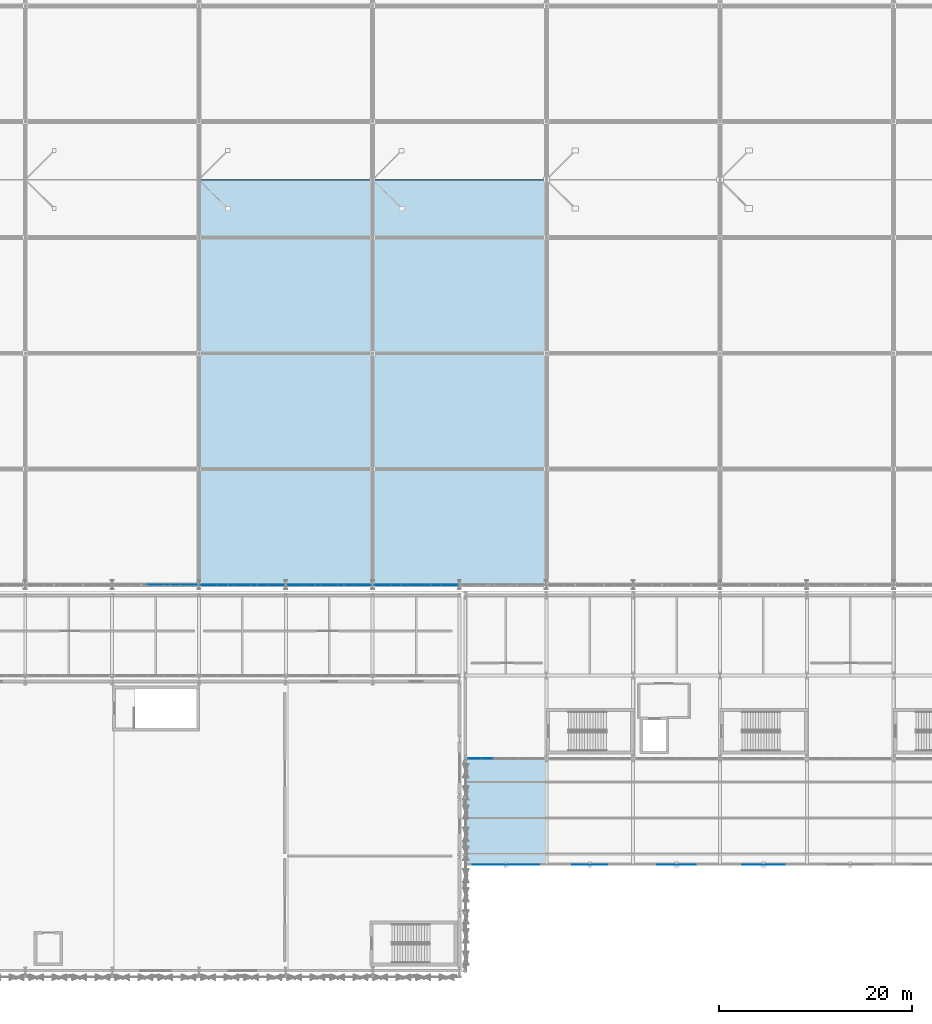
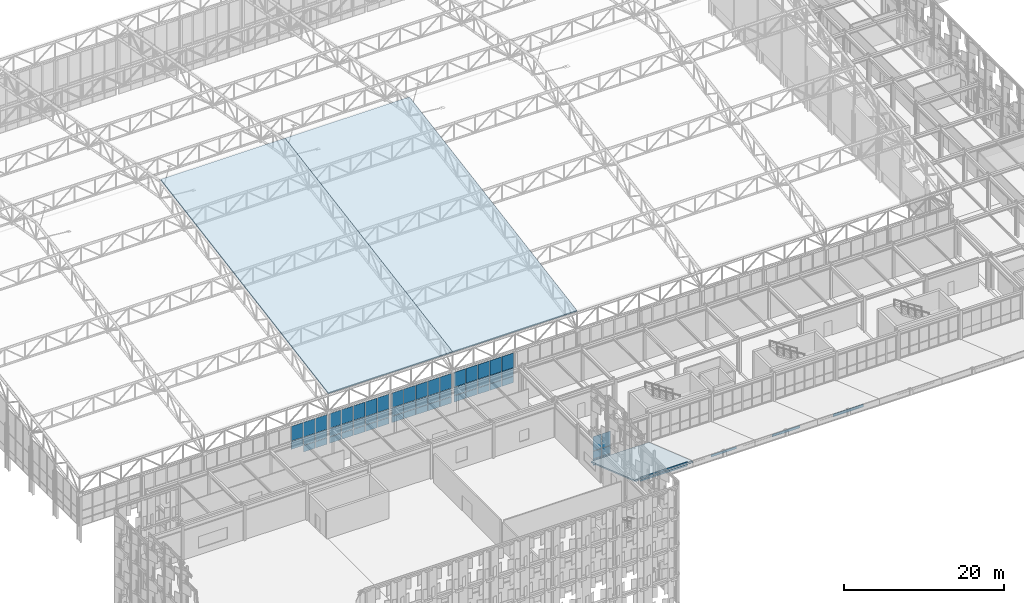
# One storey, part 181 of 239: 63 plates, 3 slabs, 7 elements without a shape of their own.
"""IFC4 building model written with IfcOpenShell, lengths in metres."""

from ifc_helpers import new_model, si_unit, direction, frame, origin, origin_2d, place, context, subcontext, project, spatial, polyline, rectangle, outline, extrude, material, layer, layer_set, type_object, element, aggregate, save


model = new_model("IFC4")

# Units and contexts
model_context = context("Model", 3, precision=1e-05, world=origin(), true_north=direction((0.0, 1.0)))
body_context = subcontext(model_context, "Body", "Model", "MODEL_VIEW")
ifc_project = project(units=[si_unit("LENGTHUNIT", "METRE"), si_unit("AREAUNIT", "SQUARE_METRE"), si_unit("VOLUMEUNIT", "CUBIC_METRE"), si_unit("PLANEANGLEUNIT", "RADIAN"), si_unit("MASSUNIT", "GRAM", prefix="KILO")], contexts=[model_context])

# Site, building, storey
site_placement = place(None, origin())
site = spatial("IfcSite", under=ifc_project, at=site_placement, CompositionType="ELEMENT")
building_placement = place(site_placement, origin())
building = spatial("IfcBuilding", under=site, at=building_placement, Name="Kaldris Quays Convention Centre", CompositionType="ELEMENT")
storey_placement = place(building_placement, frame((0.0, 0.0, 11.39990234375)))
storey = spatial("IfcBuildingStorey", under=building, at=storey_placement, Name="L02", CompositionType="ELEMENT", Elevation=11.39990234375)

# Curtain wall, plates
ifc_material_1 = material(Name="Anodized aluminium AW-6060 and triple glazing", Category="aluminium")
curtain_wall_type_1 = type_object("IfcCurtainWallType", Name="UNITISED CURTAIN WALL CW03", PredefinedType="NOTDEFINED", material=ifc_material_1)
curtain_wall_1_placement = place(storey_placement, origin())
curtain_wall_1 = element("IfcCurtainWall", 1, at=curtain_wall_1_placement, inside=storey, type_object=curtain_wall_type_1, Name="L02 Unitised Curtain Wall CW03 233", PredefinedType="NOTDEFINED")
ifc_material_2 = material(Name="Triple low-E insulated glazing", Category="glass")
plate_type_1 = type_object("IfcPlateType", Name="CURTAIN GLAZING PANEL CWP1", PredefinedType="CURTAIN_PANEL", material=ifc_material_2)
plate_1_placement = place(storey_placement, frame((51.5, 56.0, 3.27490234375), z_axis=(0.0, 0.0, 1.0), x_axis=(1.0, 0.0, 0.0)))
plate_1 = element("IfcPlate", 2, at=plate_1_placement, type_object=plate_type_1, Name="CW03 panel 3.2", PredefinedType="CURTAIN_PANEL", context=body_context, shape_type="SweptSolid", body=[
    extrude(rectangle(XDim=1.68408203125, YDim=0.029052734375, at=origin_2d()), origin(), (0.0, 0.0, 1.0), 1.217041015625),
])
plate_2_placement = place(storey_placement, frame((51.5, 56.0, 4.55224609375), z_axis=(0.0, 0.0, 1.0), x_axis=(1.0, 0.0, 0.0)))
plate_2 = element("IfcPlate", 3, at=plate_2_placement, type_object=plate_type_1, Name="CW03 panel 3.3", PredefinedType="CURTAIN_PANEL", context=body_context, shape_type="SweptSolid", body=[
    extrude(rectangle(XDim=1.68408203125, YDim=0.029052734375, at=origin_2d()), origin(), (0.0, 0.0, 1.0), 2.238037109375),
])
plate_3_placement = place(storey_placement, frame((53.243896484375, 56.0, 2.255126953125), z_axis=(0.0, 0.0, 1.0), x_axis=(1.0, 0.0, 0.0)))
plate_3 = element("IfcPlate", 4, at=plate_3_placement, type_object=plate_type_1, Name="CW03 panel 4.1", PredefinedType="CURTAIN_PANEL", context=body_context, shape_type="SweptSolid", body=[
    extrude(rectangle(XDim=1.68408203125, YDim=0.029052734375, at=origin_2d()), origin(), (0.0, 0.0, 1.0), 0.9599609375),
])
plate_4_placement = place(storey_placement, frame((53.243896484375, 56.0, 3.27490234375), z_axis=(0.0, 0.0, 1.0), x_axis=(1.0, 0.0, 0.0)))
plate_4 = element("IfcPlate", 5, at=plate_4_placement, type_object=plate_type_1, Name="CW03 panel 4.2", PredefinedType="CURTAIN_PANEL", context=body_context, shape_type="SweptSolid", body=[
    extrude(rectangle(XDim=1.68408203125, YDim=0.029052734375, at=origin_2d()), origin(), (0.0, 0.0, 1.0), 1.217041015625),
])
plate_5_placement = place(storey_placement, frame((53.243896484375, 56.0, 4.55224609375), z_axis=(0.0, 0.0, 1.0), x_axis=(1.0, 0.0, 0.0)))
plate_5 = element("IfcPlate", 6, at=plate_5_placement, type_object=plate_type_1, Name="CW03 panel 4.3", PredefinedType="CURTAIN_PANEL", context=body_context, shape_type="SweptSolid", body=[
    extrude(rectangle(XDim=1.68408203125, YDim=0.029052734375, at=origin_2d()), origin(), (0.0, 0.0, 1.0), 2.238037109375),
])
plate_6_placement = place(storey_placement, frame((54.972900390625, 56.0, 2.255126953125), z_axis=(0.0, 0.0, 1.0), x_axis=(1.0, 0.0, 0.0)))
plate_6 = element("IfcPlate", 7, at=plate_6_placement, type_object=plate_type_1, Name="CW03 panel 5.1", PredefinedType="CURTAIN_PANEL", context=body_context, shape_type="SweptSolid", body=[
    extrude(rectangle(XDim=1.654052734375, YDim=0.029052734375, at=origin_2d()), origin(), (0.0, 0.0, 1.0), 0.9599609375),
])
plate_7_placement = place(storey_placement, frame((54.972900390625, 56.0, 3.27490234375), z_axis=(0.0, 0.0, 1.0), x_axis=(1.0, 0.0, 0.0)))
plate_7 = element("IfcPlate", 8, at=plate_7_placement, type_object=plate_type_1, Name="CW03 panel 5.2", PredefinedType="CURTAIN_PANEL", context=body_context, shape_type="SweptSolid", body=[
    extrude(rectangle(XDim=1.654052734375, YDim=0.029052734375, at=origin_2d()), origin(), (0.0, 0.0, 1.0), 1.217041015625),
])
plate_8_placement = place(storey_placement, frame((54.972900390625, 56.0, 4.55224609375), z_axis=(0.0, 0.0, 1.0), x_axis=(1.0, 0.0, 0.0)))
plate_8 = element("IfcPlate", 9, at=plate_8_placement, type_object=plate_type_1, Name="CW03 panel 5.3", PredefinedType="CURTAIN_PANEL", context=body_context, shape_type="SweptSolid", body=[
    extrude(rectangle(XDim=1.654052734375, YDim=0.029052734375, at=origin_2d()), origin(), (0.0, 0.0, 1.0), 2.238037109375),
])
aggregate(curtain_wall_1, [plate_1, plate_2, plate_3, plate_4, plate_5, plate_6, plate_7, plate_8])

curtain_wall_type_2 = type_object("IfcCurtainWallType", Name="UNITISED CURTAIN WALL CW04", PredefinedType="NOTDEFINED", material=ifc_material_1)
curtain_wall_2_placement = place(storey_placement, origin())
curtain_wall_2 = element("IfcCurtainWall", 10, at=curtain_wall_2_placement, inside=storey, type_object=curtain_wall_type_2, Name="L02 Unitised Curtain Wall CW04 114", PredefinedType="NOTDEFINED")
plate_type_2 = type_object("IfcPlateType", Name="CURTAIN GLAZING PANEL CWP2", PredefinedType="CURTAIN_PANEL", material=ifc_material_2)
plate_9_placement = place(storey_placement, frame((84.5234375, 38.0, 0.06005859375), z_axis=(0.0, 0.0, 1.0), x_axis=(1.0, 0.0, 0.0)))
plate_9 = element("IfcPlate", 11, at=plate_9_placement, type_object=plate_type_2, Name="CW04 panel 1.1", PredefinedType="CURTAIN_PANEL", context=body_context, shape_type="SweptSolid", body=[
    extrude(rectangle(XDim=1.2265625, YDim=0.033935546875, at=origin_2d()), origin(), (0.0, 0.0, 1.0), 0.9599609375),
])
plate_10_placement = place(storey_placement, frame((84.5234375, 38.0, 1.080078125), z_axis=(0.0, 0.0, 1.0), x_axis=(1.0, 0.0, 0.0)))
plate_10 = element("IfcPlate", 12, at=plate_10_placement, type_object=plate_type_2, Name="CW04 panel 1.2", PredefinedType="CURTAIN_PANEL", context=body_context, shape_type="SweptSolid", body=[
    extrude(rectangle(XDim=1.2265625, YDim=0.033935546875, at=origin_2d()), origin(), (0.0, 0.0, 1.0), 1.1640625),
])
plate_11_placement = place(storey_placement, frame((84.5234375, 38.0, 2.303955078125), z_axis=(0.0, 0.0, 1.0), x_axis=(1.0, 0.0, 0.0)))
plate_11 = element("IfcPlate", 13, at=plate_11_placement, type_object=plate_type_2, Name="CW04 panel 1.3", PredefinedType="CURTAIN_PANEL", context=body_context, shape_type="SweptSolid", body=[
    extrude(rectangle(XDim=1.2265625, YDim=0.033935546875, at=origin_2d()), origin(), (0.0, 0.0, 1.0), 2.18408203125),
])
plate_12_placement = place(storey_placement, frame((85.824951171875, 38.0, 0.06005859375), z_axis=(0.0, 0.0, 1.0), x_axis=(1.0, 0.0, 0.0)))
plate_12 = element("IfcPlate", 14, at=plate_12_placement, type_object=plate_type_2, Name="CW04 panel 2.1", PredefinedType="CURTAIN_PANEL", context=body_context, shape_type="SweptSolid", body=[
    extrude(rectangle(XDim=1.256591796875, YDim=0.033935546875, at=origin_2d()), origin(), (0.0, 0.0, 1.0), 0.9599609375),
])
plate_13_placement = place(storey_placement, frame((85.824951171875, 38.0, 1.080078125), z_axis=(0.0, 0.0, 1.0), x_axis=(1.0, 0.0, 0.0)))
plate_13 = element("IfcPlate", 15, at=plate_13_placement, type_object=plate_type_2, Name="CW04 panel 2.2", PredefinedType="CURTAIN_PANEL", context=body_context, shape_type="SweptSolid", body=[
    extrude(rectangle(XDim=1.256591796875, YDim=0.033935546875, at=origin_2d()), origin(), (0.0, 0.0, 1.0), 1.1640625),
])
plate_14_placement = place(storey_placement, frame((85.824951171875, 38.0, 2.303955078125), z_axis=(0.0, 0.0, 1.0), x_axis=(1.0, 0.0, 0.0)))
plate_14 = element("IfcPlate", 16, at=plate_14_placement, type_object=plate_type_2, Name="CW04 panel 2.3", PredefinedType="CURTAIN_PANEL", context=body_context, shape_type="SweptSolid", body=[
    extrude(rectangle(XDim=1.256591796875, YDim=0.033935546875, at=origin_2d()), origin(), (0.0, 0.0, 1.0), 2.18408203125),
])
aggregate(curtain_wall_2, [plate_9, plate_10, plate_11, plate_12, plate_13, plate_14])

curtain_wall_3_placement = place(storey_placement, origin())
curtain_wall_3 = element("IfcCurtainWall", 17, at=curtain_wall_3_placement, inside=storey, type_object=curtain_wall_type_1, Name="L02 Unitised Curtain Wall CW03 235", PredefinedType="NOTDEFINED")
plate_type_3 = type_object("IfcPlateType", Name="CURTAIN GLAZING PANEL CWP3", PredefinedType="CURTAIN_PANEL", material=ifc_material_2)
plate_15_placement = place(storey_placement, frame((57.027099609375, 56.0, 2.255126953125), z_axis=(0.0, 0.0, 1.0), x_axis=(1.0, 0.0, 0.0)))
plate_15 = element("IfcPlate", 18, at=plate_15_placement, type_object=plate_type_3, Name="CW03 panel 1.1", PredefinedType="CURTAIN_PANEL", context=body_context, shape_type="SweptSolid", body=[
    extrude(rectangle(XDim=1.654052734375, YDim=0.0390625, at=origin_2d()), origin(), (0.0, 0.0, 1.0), 0.9599609375),
])
plate_16_placement = place(storey_placement, frame((57.027099609375, 56.0, 3.27490234375), z_axis=(0.0, 0.0, 1.0), x_axis=(1.0, 0.0, 0.0)))
plate_16 = element("IfcPlate", 19, at=plate_16_placement, type_object=plate_type_3, Name="CW03 panel 1.2", PredefinedType="CURTAIN_PANEL", context=body_context, shape_type="SweptSolid", body=[
    extrude(rectangle(XDim=1.654052734375, YDim=0.0390625, at=origin_2d()), origin(), (0.0, 0.0, 1.0), 1.217041015625),
])
plate_17_placement = place(storey_placement, frame((57.027099609375, 56.0, 4.55224609375), z_axis=(0.0, 0.0, 1.0), x_axis=(1.0, 0.0, 0.0)))
plate_17 = element("IfcPlate", 20, at=plate_17_placement, type_object=plate_type_3, Name="CW03 panel 1.3", PredefinedType="CURTAIN_PANEL", context=body_context, shape_type="SweptSolid", body=[
    extrude(rectangle(XDim=1.654052734375, YDim=0.0390625, at=origin_2d()), origin(), (0.0, 0.0, 1.0), 2.238037109375),
])
plate_18_placement = place(storey_placement, frame((58.756103515625, 56.0, 2.255126953125), z_axis=(0.0, 0.0, 1.0), x_axis=(1.0, 0.0, 0.0)))
plate_18 = element("IfcPlate", 21, at=plate_18_placement, type_object=plate_type_3, Name="CW03 panel 2.1", PredefinedType="CURTAIN_PANEL", context=body_context, shape_type="SweptSolid", body=[
    extrude(rectangle(XDim=1.68408203125, YDim=0.0390625, at=origin_2d()), origin(), (0.0, 0.0, 1.0), 0.9599609375),
])
plate_19_placement = place(storey_placement, frame((58.756103515625, 56.0, 3.27490234375), z_axis=(0.0, 0.0, 1.0), x_axis=(1.0, 0.0, 0.0)))
plate_19 = element("IfcPlate", 22, at=plate_19_placement, type_object=plate_type_3, Name="CW03 panel 2.2", PredefinedType="CURTAIN_PANEL", context=body_context, shape_type="SweptSolid", body=[
    extrude(rectangle(XDim=1.68408203125, YDim=0.0390625, at=origin_2d()), origin(), (0.0, 0.0, 1.0), 1.217041015625),
])
plate_20_placement = place(storey_placement, frame((58.756103515625, 56.0, 4.55224609375), z_axis=(0.0, 0.0, 1.0), x_axis=(1.0, 0.0, 0.0)))
plate_20 = element("IfcPlate", 23, at=plate_20_placement, type_object=plate_type_3, Name="CW03 panel 2.3", PredefinedType="CURTAIN_PANEL", context=body_context, shape_type="SweptSolid", body=[
    extrude(rectangle(XDim=1.68408203125, YDim=0.0390625, at=origin_2d()), origin(), (0.0, 0.0, 1.0), 2.238037109375),
])
plate_21_placement = place(storey_placement, frame((60.5, 56.0, 2.255126953125), z_axis=(0.0, 0.0, 1.0), x_axis=(1.0, 0.0, 0.0)))
plate_21 = element("IfcPlate", 24, at=plate_21_placement, type_object=plate_type_3, Name="CW03 panel 3.1", PredefinedType="CURTAIN_PANEL", context=body_context, shape_type="SweptSolid", body=[
    extrude(rectangle(XDim=1.68408203125, YDim=0.0390625, at=origin_2d()), origin(), (0.0, 0.0, 1.0), 0.9599609375),
])
plate_22_placement = place(storey_placement, frame((60.5, 56.0, 3.27490234375), z_axis=(0.0, 0.0, 1.0), x_axis=(1.0, 0.0, 0.0)))
plate_22 = element("IfcPlate", 25, at=plate_22_placement, type_object=plate_type_3, Name="CW03 panel 3.2", PredefinedType="CURTAIN_PANEL", context=body_context, shape_type="SweptSolid", body=[
    extrude(rectangle(XDim=1.68408203125, YDim=0.0390625, at=origin_2d()), origin(), (0.0, 0.0, 1.0), 1.217041015625),
])
plate_23_placement = place(storey_placement, frame((60.5, 56.0, 4.55224609375), z_axis=(0.0, 0.0, 1.0), x_axis=(1.0, 0.0, 0.0)))
plate_23 = element("IfcPlate", 26, at=plate_23_placement, type_object=plate_type_3, Name="CW03 panel 3.3", PredefinedType="CURTAIN_PANEL", context=body_context, shape_type="SweptSolid", body=[
    extrude(rectangle(XDim=1.68408203125, YDim=0.0390625, at=origin_2d()), origin(), (0.0, 0.0, 1.0), 2.238037109375),
])
plate_24_placement = place(storey_placement, frame((62.243896484375, 56.0, 2.255126953125), z_axis=(0.0, 0.0, 1.0), x_axis=(1.0, 0.0, 0.0)))
plate_24 = element("IfcPlate", 27, at=plate_24_placement, type_object=plate_type_3, Name="CW03 panel 4.1", PredefinedType="CURTAIN_PANEL", context=body_context, shape_type="SweptSolid", body=[
    extrude(rectangle(XDim=1.68408203125, YDim=0.0390625, at=origin_2d()), origin(), (0.0, 0.0, 1.0), 0.9599609375),
])
plate_25_placement = place(storey_placement, frame((62.243896484375, 56.0, 3.27490234375), z_axis=(0.0, 0.0, 1.0), x_axis=(1.0, 0.0, 0.0)))
plate_25 = element("IfcPlate", 28, at=plate_25_placement, type_object=plate_type_3, Name="CW03 panel 4.2", PredefinedType="CURTAIN_PANEL", context=body_context, shape_type="SweptSolid", body=[
    extrude(rectangle(XDim=1.68408203125, YDim=0.0390625, at=origin_2d()), origin(), (0.0, 0.0, 1.0), 1.217041015625),
])
plate_26_placement = place(storey_placement, frame((62.243896484375, 56.0, 4.55224609375), z_axis=(0.0, 0.0, 1.0), x_axis=(1.0, 0.0, 0.0)))
plate_26 = element("IfcPlate", 29, at=plate_26_placement, type_object=plate_type_3, Name="CW03 panel 4.3", PredefinedType="CURTAIN_PANEL", context=body_context, shape_type="SweptSolid", body=[
    extrude(rectangle(XDim=1.68408203125, YDim=0.0390625, at=origin_2d()), origin(), (0.0, 0.0, 1.0), 2.238037109375),
])
plate_27_placement = place(storey_placement, frame((63.972900390625, 56.0, 2.255126953125), z_axis=(0.0, 0.0, 1.0), x_axis=(1.0, 0.0, 0.0)))
plate_27 = element("IfcPlate", 30, at=plate_27_placement, type_object=plate_type_3, Name="CW03 panel 5.1", PredefinedType="CURTAIN_PANEL", context=body_context, shape_type="SweptSolid", body=[
    extrude(rectangle(XDim=1.654052734375, YDim=0.0390625, at=origin_2d()), origin(), (0.0, 0.0, 1.0), 0.9599609375),
])
plate_28_placement = place(storey_placement, frame((63.972900390625, 56.0, 3.27490234375), z_axis=(0.0, 0.0, 1.0), x_axis=(1.0, 0.0, 0.0)))
plate_28 = element("IfcPlate", 31, at=plate_28_placement, type_object=plate_type_3, Name="CW03 panel 5.2", PredefinedType="CURTAIN_PANEL", context=body_context, shape_type="SweptSolid", body=[
    extrude(rectangle(XDim=1.654052734375, YDim=0.0390625, at=origin_2d()), origin(), (0.0, 0.0, 1.0), 1.217041015625),
])
plate_29_placement = place(storey_placement, frame((63.972900390625, 56.0, 4.55224609375), z_axis=(0.0, 0.0, 1.0), x_axis=(1.0, 0.0, 0.0)))
plate_29 = element("IfcPlate", 32, at=plate_29_placement, type_object=plate_type_3, Name="CW03 panel 5.3", PredefinedType="CURTAIN_PANEL", context=body_context, shape_type="SweptSolid", body=[
    extrude(rectangle(XDim=1.654052734375, YDim=0.0390625, at=origin_2d()), origin(), (0.0, 0.0, 1.0), 2.238037109375),
])
aggregate(curtain_wall_3, [plate_15, plate_16, plate_17, plate_18, plate_19, plate_20, plate_21, plate_22, plate_23, plate_24, plate_25, plate_26, plate_27, plate_28, plate_29])

curtain_wall_4_placement = place(storey_placement, origin())
curtain_wall_4 = element("IfcCurtainWall", 33, at=curtain_wall_4_placement, inside=storey, type_object=curtain_wall_type_1, Name="L02 Unitised Curtain Wall CW03 237", PredefinedType="NOTDEFINED")
plate_type_4 = type_object("IfcPlateType", Name="CURTAIN GLAZING PANEL CWP5", PredefinedType="CURTAIN_PANEL", material=ifc_material_2)
plate_30_placement = place(storey_placement, frame((66.027099609375, 56.0, 2.255126953125), z_axis=(0.0, 0.0, 1.0), x_axis=(1.0, 0.0, 0.0)))
plate_30 = element("IfcPlate", 34, at=plate_30_placement, type_object=plate_type_4, Name="CW03 panel 1.1", PredefinedType="CURTAIN_PANEL", context=body_context, shape_type="SweptSolid", body=[
    extrude(rectangle(XDim=1.654052734375, YDim=0.049072265625, at=origin_2d()), origin(), (0.0, 0.0, 1.0), 0.9599609375),
])
plate_31_placement = place(storey_placement, frame((66.027099609375, 56.0, 3.27490234375), z_axis=(0.0, 0.0, 1.0), x_axis=(1.0, 0.0, 0.0)))
plate_31 = element("IfcPlate", 35, at=plate_31_placement, type_object=plate_type_4, Name="CW03 panel 1.2", PredefinedType="CURTAIN_PANEL", context=body_context, shape_type="SweptSolid", body=[
    extrude(rectangle(XDim=1.654052734375, YDim=0.049072265625, at=origin_2d()), origin(), (0.0, 0.0, 1.0), 1.217041015625),
])
plate_32_placement = place(storey_placement, frame((66.027099609375, 56.0, 4.55224609375), z_axis=(0.0, 0.0, 1.0), x_axis=(1.0, 0.0, 0.0)))
plate_32 = element("IfcPlate", 36, at=plate_32_placement, type_object=plate_type_4, Name="CW03 panel 1.3", PredefinedType="CURTAIN_PANEL", context=body_context, shape_type="SweptSolid", body=[
    extrude(rectangle(XDim=1.654052734375, YDim=0.049072265625, at=origin_2d()), origin(), (0.0, 0.0, 1.0), 2.238037109375),
])
plate_33_placement = place(storey_placement, frame((67.756103515625, 56.0, 2.255126953125), z_axis=(0.0, 0.0, 1.0), x_axis=(1.0, 0.0, 0.0)))
plate_33 = element("IfcPlate", 37, at=plate_33_placement, type_object=plate_type_4, Name="CW03 panel 2.1", PredefinedType="CURTAIN_PANEL", context=body_context, shape_type="SweptSolid", body=[
    extrude(rectangle(XDim=1.68408203125, YDim=0.049072265625, at=origin_2d()), origin(), (0.0, 0.0, 1.0), 0.9599609375),
])
plate_34_placement = place(storey_placement, frame((67.756103515625, 56.0, 3.27490234375), z_axis=(0.0, 0.0, 1.0), x_axis=(1.0, 0.0, 0.0)))
plate_34 = element("IfcPlate", 38, at=plate_34_placement, type_object=plate_type_4, Name="CW03 panel 2.2", PredefinedType="CURTAIN_PANEL", context=body_context, shape_type="SweptSolid", body=[
    extrude(rectangle(XDim=1.68408203125, YDim=0.049072265625, at=origin_2d()), origin(), (0.0, 0.0, 1.0), 1.217041015625),
])
plate_35_placement = place(storey_placement, frame((67.756103515625, 56.0, 4.55224609375), z_axis=(0.0, 0.0, 1.0), x_axis=(1.0, 0.0, 0.0)))
plate_35 = element("IfcPlate", 39, at=plate_35_placement, type_object=plate_type_4, Name="CW03 panel 2.3", PredefinedType="CURTAIN_PANEL", context=body_context, shape_type="SweptSolid", body=[
    extrude(rectangle(XDim=1.68408203125, YDim=0.049072265625, at=origin_2d()), origin(), (0.0, 0.0, 1.0), 2.238037109375),
])
plate_36_placement = place(storey_placement, frame((69.5, 56.0, 2.255126953125), z_axis=(0.0, 0.0, 1.0), x_axis=(1.0, 0.0, 0.0)))
plate_36 = element("IfcPlate", 40, at=plate_36_placement, type_object=plate_type_4, Name="CW03 panel 3.1", PredefinedType="CURTAIN_PANEL", context=body_context, shape_type="SweptSolid", body=[
    extrude(rectangle(XDim=1.68408203125, YDim=0.049072265625, at=origin_2d()), origin(), (0.0, 0.0, 1.0), 0.9599609375),
])
plate_37_placement = place(storey_placement, frame((69.5, 56.0, 3.27490234375), z_axis=(0.0, 0.0, 1.0), x_axis=(1.0, 0.0, 0.0)))
plate_37 = element("IfcPlate", 41, at=plate_37_placement, type_object=plate_type_4, Name="CW03 panel 3.2", PredefinedType="CURTAIN_PANEL", context=body_context, shape_type="SweptSolid", body=[
    extrude(rectangle(XDim=1.68408203125, YDim=0.049072265625, at=origin_2d()), origin(), (0.0, 0.0, 1.0), 1.217041015625),
])
plate_38_placement = place(storey_placement, frame((69.5, 56.0, 4.55224609375), z_axis=(0.0, 0.0, 1.0), x_axis=(1.0, 0.0, 0.0)))
plate_38 = element("IfcPlate", 42, at=plate_38_placement, type_object=plate_type_4, Name="CW03 panel 3.3", PredefinedType="CURTAIN_PANEL", context=body_context, shape_type="SweptSolid", body=[
    extrude(rectangle(XDim=1.68408203125, YDim=0.049072265625, at=origin_2d()), origin(), (0.0, 0.0, 1.0), 2.238037109375),
])
plate_39_placement = place(storey_placement, frame((71.243896484375, 56.0, 2.255126953125), z_axis=(0.0, 0.0, 1.0), x_axis=(1.0, 0.0, 0.0)))
plate_39 = element("IfcPlate", 43, at=plate_39_placement, type_object=plate_type_4, Name="CW03 panel 4.1", PredefinedType="CURTAIN_PANEL", context=body_context, shape_type="SweptSolid", body=[
    extrude(rectangle(XDim=1.68408203125, YDim=0.049072265625, at=origin_2d()), origin(), (0.0, 0.0, 1.0), 0.9599609375),
])
plate_40_placement = place(storey_placement, frame((71.243896484375, 56.0, 3.27490234375), z_axis=(0.0, 0.0, 1.0), x_axis=(1.0, 0.0, 0.0)))
plate_40 = element("IfcPlate", 44, at=plate_40_placement, type_object=plate_type_4, Name="CW03 panel 4.2", PredefinedType="CURTAIN_PANEL", context=body_context, shape_type="SweptSolid", body=[
    extrude(rectangle(XDim=1.68408203125, YDim=0.049072265625, at=origin_2d()), origin(), (0.0, 0.0, 1.0), 1.217041015625),
])
plate_41_placement = place(storey_placement, frame((71.243896484375, 56.0, 4.55224609375), z_axis=(0.0, 0.0, 1.0), x_axis=(1.0, 0.0, 0.0)))
plate_41 = element("IfcPlate", 45, at=plate_41_placement, type_object=plate_type_4, Name="CW03 panel 4.3", PredefinedType="CURTAIN_PANEL", context=body_context, shape_type="SweptSolid", body=[
    extrude(rectangle(XDim=1.68408203125, YDim=0.049072265625, at=origin_2d()), origin(), (0.0, 0.0, 1.0), 2.238037109375),
])
plate_42_placement = place(storey_placement, frame((72.972900390625, 56.0, 2.255126953125), z_axis=(0.0, 0.0, 1.0), x_axis=(1.0, 0.0, 0.0)))
plate_42 = element("IfcPlate", 46, at=plate_42_placement, type_object=plate_type_4, Name="CW03 panel 5.1", PredefinedType="CURTAIN_PANEL", context=body_context, shape_type="SweptSolid", body=[
    extrude(rectangle(XDim=1.654052734375, YDim=0.049072265625, at=origin_2d()), origin(), (0.0, 0.0, 1.0), 0.9599609375),
])
plate_43_placement = place(storey_placement, frame((72.972900390625, 56.0, 3.27490234375), z_axis=(0.0, 0.0, 1.0), x_axis=(1.0, 0.0, 0.0)))
plate_43 = element("IfcPlate", 47, at=plate_43_placement, type_object=plate_type_4, Name="CW03 panel 5.2", PredefinedType="CURTAIN_PANEL", context=body_context, shape_type="SweptSolid", body=[
    extrude(rectangle(XDim=1.654052734375, YDim=0.049072265625, at=origin_2d()), origin(), (0.0, 0.0, 1.0), 1.217041015625),
])
plate_44_placement = place(storey_placement, frame((72.972900390625, 56.0, 4.55224609375), z_axis=(0.0, 0.0, 1.0), x_axis=(1.0, 0.0, 0.0)))
plate_44 = element("IfcPlate", 48, at=plate_44_placement, type_object=plate_type_4, Name="CW03 panel 5.3", PredefinedType="CURTAIN_PANEL", context=body_context, shape_type="SweptSolid", body=[
    extrude(rectangle(XDim=1.654052734375, YDim=0.049072265625, at=origin_2d()), origin(), (0.0, 0.0, 1.0), 2.238037109375),
])
aggregate(curtain_wall_4, [plate_30, plate_31, plate_32, plate_33, plate_34, plate_35, plate_36, plate_37, plate_38, plate_39, plate_40, plate_41, plate_42, plate_43, plate_44])

curtain_wall_5_placement = place(storey_placement, origin())
curtain_wall_5 = element("IfcCurtainWall", 49, at=curtain_wall_5_placement, inside=storey, type_object=curtain_wall_type_1, Name="L02 Unitised Curtain Wall CW03 239", PredefinedType="NOTDEFINED")
plate_type_5 = type_object("IfcPlateType", Name="CURTAIN GLAZING PANEL CWP7", PredefinedType="CURTAIN_PANEL", material=ifc_material_2)
plate_45_placement = place(storey_placement, frame((75.027099609375, 56.0, 2.255126953125), z_axis=(0.0, 0.0, 1.0), x_axis=(1.0, 0.0, 0.0)))
plate_45 = element("IfcPlate", 50, at=plate_45_placement, type_object=plate_type_5, Name="CW03 panel 1.1", PredefinedType="CURTAIN_PANEL", context=body_context, shape_type="SweptSolid", body=[
    extrude(rectangle(XDim=1.654052734375, YDim=0.05908203125, at=origin_2d()), origin(), (0.0, 0.0, 1.0), 0.9599609375),
])
plate_46_placement = place(storey_placement, frame((75.027099609375, 56.0, 3.27490234375), z_axis=(0.0, 0.0, 1.0), x_axis=(1.0, 0.0, 0.0)))
plate_46 = element("IfcPlate", 51, at=plate_46_placement, type_object=plate_type_5, Name="CW03 panel 1.2", PredefinedType="CURTAIN_PANEL", context=body_context, shape_type="SweptSolid", body=[
    extrude(rectangle(XDim=1.654052734375, YDim=0.05908203125, at=origin_2d()), origin(), (0.0, 0.0, 1.0), 1.217041015625),
])
plate_47_placement = place(storey_placement, frame((75.027099609375, 56.0, 4.55224609375), z_axis=(0.0, 0.0, 1.0), x_axis=(1.0, 0.0, 0.0)))
plate_47 = element("IfcPlate", 52, at=plate_47_placement, type_object=plate_type_5, Name="CW03 panel 1.3", PredefinedType="CURTAIN_PANEL", context=body_context, shape_type="SweptSolid", body=[
    extrude(rectangle(XDim=1.654052734375, YDim=0.05908203125, at=origin_2d()), origin(), (0.0, 0.0, 1.0), 2.238037109375),
])
plate_48_placement = place(storey_placement, frame((76.756103515625, 56.0, 2.255126953125), z_axis=(0.0, 0.0, 1.0), x_axis=(1.0, 0.0, 0.0)))
plate_48 = element("IfcPlate", 53, at=plate_48_placement, type_object=plate_type_5, Name="CW03 panel 2.1", PredefinedType="CURTAIN_PANEL", context=body_context, shape_type="SweptSolid", body=[
    extrude(rectangle(XDim=1.68408203125, YDim=0.05908203125, at=origin_2d()), origin(), (0.0, 0.0, 1.0), 0.9599609375),
])
plate_49_placement = place(storey_placement, frame((76.756103515625, 56.0, 3.27490234375), z_axis=(0.0, 0.0, 1.0), x_axis=(1.0, 0.0, 0.0)))
plate_49 = element("IfcPlate", 54, at=plate_49_placement, type_object=plate_type_5, Name="CW03 panel 2.2", PredefinedType="CURTAIN_PANEL", context=body_context, shape_type="SweptSolid", body=[
    extrude(rectangle(XDim=1.68408203125, YDim=0.05908203125, at=origin_2d()), origin(), (0.0, 0.0, 1.0), 1.217041015625),
])
plate_50_placement = place(storey_placement, frame((76.756103515625, 56.0, 4.55224609375), z_axis=(0.0, 0.0, 1.0), x_axis=(1.0, 0.0, 0.0)))
plate_50 = element("IfcPlate", 55, at=plate_50_placement, type_object=plate_type_5, Name="CW03 panel 2.3", PredefinedType="CURTAIN_PANEL", context=body_context, shape_type="SweptSolid", body=[
    extrude(rectangle(XDim=1.68408203125, YDim=0.05908203125, at=origin_2d()), origin(), (0.0, 0.0, 1.0), 2.238037109375),
])
plate_51_placement = place(storey_placement, frame((78.5, 56.0, 2.255126953125), z_axis=(0.0, 0.0, 1.0), x_axis=(1.0, 0.0, 0.0)))
plate_51 = element("IfcPlate", 56, at=plate_51_placement, type_object=plate_type_5, Name="CW03 panel 3.1", PredefinedType="CURTAIN_PANEL", context=body_context, shape_type="SweptSolid", body=[
    extrude(rectangle(XDim=1.68408203125, YDim=0.05908203125, at=origin_2d()), origin(), (0.0, 0.0, 1.0), 0.9599609375),
])
plate_52_placement = place(storey_placement, frame((78.5, 56.0, 3.27490234375), z_axis=(0.0, 0.0, 1.0), x_axis=(1.0, 0.0, 0.0)))
plate_52 = element("IfcPlate", 57, at=plate_52_placement, type_object=plate_type_5, Name="CW03 panel 3.2", PredefinedType="CURTAIN_PANEL", context=body_context, shape_type="SweptSolid", body=[
    extrude(rectangle(XDim=1.68408203125, YDim=0.05908203125, at=origin_2d()), origin(), (0.0, 0.0, 1.0), 1.217041015625),
])
plate_53_placement = place(storey_placement, frame((78.5, 56.0, 4.55224609375), z_axis=(0.0, 0.0, 1.0), x_axis=(1.0, 0.0, 0.0)))
plate_53 = element("IfcPlate", 58, at=plate_53_placement, type_object=plate_type_5, Name="CW03 panel 3.3", PredefinedType="CURTAIN_PANEL", context=body_context, shape_type="SweptSolid", body=[
    extrude(rectangle(XDim=1.68408203125, YDim=0.05908203125, at=origin_2d()), origin(), (0.0, 0.0, 1.0), 2.238037109375),
])
plate_54_placement = place(storey_placement, frame((80.243896484375, 56.0, 2.255126953125), z_axis=(0.0, 0.0, 1.0), x_axis=(1.0, 0.0, 0.0)))
plate_54 = element("IfcPlate", 59, at=plate_54_placement, type_object=plate_type_5, Name="CW03 panel 4.1", PredefinedType="CURTAIN_PANEL", context=body_context, shape_type="SweptSolid", body=[
    extrude(rectangle(XDim=1.68408203125, YDim=0.05908203125, at=origin_2d()), origin(), (0.0, 0.0, 1.0), 0.9599609375),
])
plate_55_placement = place(storey_placement, frame((80.243896484375, 56.0, 3.27490234375), z_axis=(0.0, 0.0, 1.0), x_axis=(1.0, 0.0, 0.0)))
plate_55 = element("IfcPlate", 60, at=plate_55_placement, type_object=plate_type_5, Name="CW03 panel 4.2", PredefinedType="CURTAIN_PANEL", context=body_context, shape_type="SweptSolid", body=[
    extrude(rectangle(XDim=1.68408203125, YDim=0.05908203125, at=origin_2d()), origin(), (0.0, 0.0, 1.0), 1.217041015625),
])
plate_56_placement = place(storey_placement, frame((80.243896484375, 56.0, 4.55224609375), z_axis=(0.0, 0.0, 1.0), x_axis=(1.0, 0.0, 0.0)))
plate_56 = element("IfcPlate", 61, at=plate_56_placement, type_object=plate_type_5, Name="CW03 panel 4.3", PredefinedType="CURTAIN_PANEL", context=body_context, shape_type="SweptSolid", body=[
    extrude(rectangle(XDim=1.68408203125, YDim=0.05908203125, at=origin_2d()), origin(), (0.0, 0.0, 1.0), 2.238037109375),
])
plate_57_placement = place(storey_placement, frame((81.972900390625, 56.0, 2.255126953125), z_axis=(0.0, 0.0, 1.0), x_axis=(1.0, 0.0, 0.0)))
plate_57 = element("IfcPlate", 62, at=plate_57_placement, type_object=plate_type_5, Name="CW03 panel 5.1", PredefinedType="CURTAIN_PANEL", context=body_context, shape_type="SweptSolid", body=[
    extrude(rectangle(XDim=1.654052734375, YDim=0.05908203125, at=origin_2d()), origin(), (0.0, 0.0, 1.0), 0.9599609375),
])
plate_58_placement = place(storey_placement, frame((81.972900390625, 56.0, 3.27490234375), z_axis=(0.0, 0.0, 1.0), x_axis=(1.0, 0.0, 0.0)))
plate_58 = element("IfcPlate", 63, at=plate_58_placement, type_object=plate_type_5, Name="CW03 panel 5.2", PredefinedType="CURTAIN_PANEL", context=body_context, shape_type="SweptSolid", body=[
    extrude(rectangle(XDim=1.654052734375, YDim=0.05908203125, at=origin_2d()), origin(), (0.0, 0.0, 1.0), 1.217041015625),
])
plate_59_placement = place(storey_placement, frame((81.972900390625, 56.0, 4.55224609375), z_axis=(0.0, 0.0, 1.0), x_axis=(1.0, 0.0, 0.0)))
plate_59 = element("IfcPlate", 64, at=plate_59_placement, type_object=plate_type_5, Name="CW03 panel 5.3", PredefinedType="CURTAIN_PANEL", context=body_context, shape_type="SweptSolid", body=[
    extrude(rectangle(XDim=1.654052734375, YDim=0.05908203125, at=origin_2d()), origin(), (0.0, 0.0, 1.0), 2.238037109375),
])
aggregate(curtain_wall_5, [plate_45, plate_46, plate_47, plate_48, plate_49, plate_50, plate_51, plate_52, plate_53, plate_54, plate_55, plate_56, plate_57, plate_58, plate_59])

# Roof, slabs
ifc_material_3 = material(Name="Steel S355J2", Category="steel")
ifc_layer_1 = layer(ifc_material_3, 0.175048828125)
ifc_layer_set_1 = layer_set([ifc_layer_1], Name="Steel S355J2")
roof_type_1 = type_object("IfcRoofType", Name="SPACE FRAME GABLE ROOF RF01", PredefinedType="GABLE_ROOF", material=ifc_layer_set_1)
roof_1_placement = place(storey_placement, origin())
roof_1 = element("IfcRoof", 65, at=roof_1_placement, inside=storey, type_object=roof_type_1, Name="Space-Frame Roof ROOF-V1-SF", PredefinedType="GABLE_ROOF")
ifc_layer_2 = layer(ifc_material_3, 0.175048828125)
ifc_layer_set_2 = layer_set([ifc_layer_2], Name="Steel S355J2")
slab_type_1 = type_object("IfcSlabType", Name="STRUCTURAL SLAB RS02", PredefinedType="ROOF", material=ifc_layer_set_2)
slab_1_placement = place(storey_placement, frame((56.0, 56.0, 10.0498046875), z_axis=(0.0, -0.168959837226, 0.985622936728), x_axis=(1.0, 0.0, 0.0)))
slab_1 = element("IfcSlab", 66, at=slab_1_placement, type_object=slab_type_1, Name="SF-V1 Pitched Roof Deck 1.3", PredefinedType="ROOF", context=body_context, shape_type="SweptSolid", body=[
    extrude(outline(polyline([(0.0, 0.0), (18.0, 0.0), (18.0, 42.587379100153214), (0.0, 42.587379100153214), (0.0, 0.0)])), origin(), (0.0, 0.0, -1.0), 0.175048828125),
])
slab_2_placement = place(storey_placement, frame((74.0, 56.0, 10.0498046875), z_axis=(0.0, -0.168959837226, 0.985622936728), x_axis=(1.0, 0.0, 0.0)))
slab_2 = element("IfcSlab", 67, at=slab_2_placement, type_object=slab_type_1, Name="SF-V1 Pitched Roof Deck 1.4", PredefinedType="ROOF", context=body_context, shape_type="SweptSolid", body=[
    extrude(outline(polyline([(0.0, 0.0), (18.0, 0.0), (18.0, 42.587379100153214), (0.0, 42.587379100153214), (0.0, 0.0)])), origin(), (0.0, 0.0, -1.0), 0.175048828125),
])
aggregate(roof_1, [slab_1, slab_2])

# Roof, slab
ifc_layer_3 = layer(ifc_material_3, 0.196044921875)
ifc_layer_set_3 = layer_set([ifc_layer_3], Name="Steel S355J2")
roof_type_2 = type_object("IfcRoofType", Name="WING SHED ROOF RF02", PredefinedType="SHED_ROOF", material=ifc_layer_set_3)
roof_2_placement = place(storey_placement, origin())
roof_2 = element("IfcRoof", 68, at=roof_2_placement, inside=storey, type_object=roof_type_2, Name="Rhine Promenade Arrival Foyer Raised Wing Canopy", PredefinedType="SHED_ROOF")
ifc_layer_4 = layer(ifc_material_3, 0.196044921875)
ifc_layer_set_4 = layer_set([ifc_layer_4], Name="Steel S355J2")
slab_type_2 = type_object("IfcSlabType", Name="STRUCTURAL SLAB WR01", PredefinedType="ROOF", material=ifc_layer_set_4)
slab_3_placement = place(storey_placement, frame((83.60009765625, 27.0, 4.587646484375), z_axis=(0.0, 0.325567686474, 0.945518736739), x_axis=(1.0, 0.0, 0.0)))
slab_3 = element("IfcSlab", 69, at=slab_3_placement, type_object=slab_type_2, Name="WR-SOUTH-ENTRY Tilted Wing Roof Slab 1", PredefinedType="ROOF", context=body_context, shape_type="SweptSolid", body=[
    extrude(outline(polyline([(0.0, 0.0), (8.39990234375, 0.0), (8.39990234375, 11.633825510365476), (0.0, 11.633825510365476), (0.0, 0.0)])), origin(), (0.0, 0.0, -1.0), 0.196044921875),
])
aggregate(roof_2, [slab_3])

# Plates
ifc_material_4 = material(Name="Alabaster white star-pierced anodized aluminium panel", Category="aluminium")
plate_type_6 = type_object("IfcPlateType", Name="WING EAVE FASCIA SHEET FP01", PredefinedType="SHEET", material=ifc_material_4)
plate_60_placement = place(storey_placement, frame((96.5, 27.0, 4.26025390625), z_axis=(0.0, 0.0, 1.0), x_axis=(1.0, 0.0, 0.0)))
element("IfcPlate", 70, at=plate_60_placement, inside=storey, type_object=plate_type_6, Name="WR-SOUTH-ENTRY Wing Eave Fascia Sheet FP01 11", PredefinedType="SHEET", context=body_context, shape_type="SweptSolid", body=[
    extrude(rectangle(XDim=3.659912109375, YDim=0.01611328125, at=origin_2d()), origin(), (0.0, 0.0, 1.0), 0.375),
])
plate_type_7 = type_object("IfcPlateType", Name="WING EAVE FASCIA SHEET FP02", PredefinedType="SHEET", material=ifc_material_4)
plate_61_placement = place(storey_placement, frame((105.5, 27.0, 4.24267578125), z_axis=(0.0, 0.0, 1.0), x_axis=(1.0, 0.0, 0.0)))
element("IfcPlate", 71, at=plate_61_placement, inside=storey, type_object=plate_type_7, Name="WR-SOUTH-ENTRY Wing Eave Fascia Sheet FP02 12", PredefinedType="SHEET", context=body_context, shape_type="SweptSolid", body=[
    extrude(rectangle(XDim=4.02001953125, YDim=0.01806640625, at=origin_2d()), origin(), (0.0, 0.0, 1.0), 0.409912109375),
])
plate_type_8 = type_object("IfcPlateType", Name="WING EAVE FASCIA SHEET FP03", PredefinedType="SHEET", material=ifc_material_4)
plate_62_placement = place(storey_placement, frame((114.5, 27.0, 4.22509765625), z_axis=(0.0, 0.0, 1.0), x_axis=(1.0, 0.0, 0.0)))
element("IfcPlate", 72, at=plate_62_placement, inside=storey, type_object=plate_type_8, Name="WR-SOUTH-ENTRY Wing Eave Fascia Sheet FP03 13", PredefinedType="SHEET", context=body_context, shape_type="SweptSolid", body=[
    extrude(rectangle(XDim=4.3798828125, YDim=0.02001953125, at=origin_2d()), origin(), (0.0, 0.0, 1.0), 0.445068359375),
])
plate_type_9 = type_object("IfcPlateType", Name="WING EAVE FASCIA SHEET FP10", PredefinedType="SHEET", material=ifc_material_4)
plate_63_placement = place(storey_placement, frame((87.800048828125, 27.0, 4.102783203125), z_axis=(0.0, 0.0, 1.0), x_axis=(1.0, 0.0, 0.0)))
element("IfcPlate", 73, at=plate_63_placement, inside=storey, type_object=plate_type_9, Name="WR-SOUTH-ENTRY Wing Eave Fascia Sheet FP10 10", PredefinedType="SHEET", context=body_context, shape_type="SweptSolid", body=[
    extrude(rectangle(XDim=6.89990234375, YDim=0.01806640625, at=origin_2d()), origin(), (0.0, 0.0, 1.0), 0.68994140625),
])

save(model, "model.ifc")
